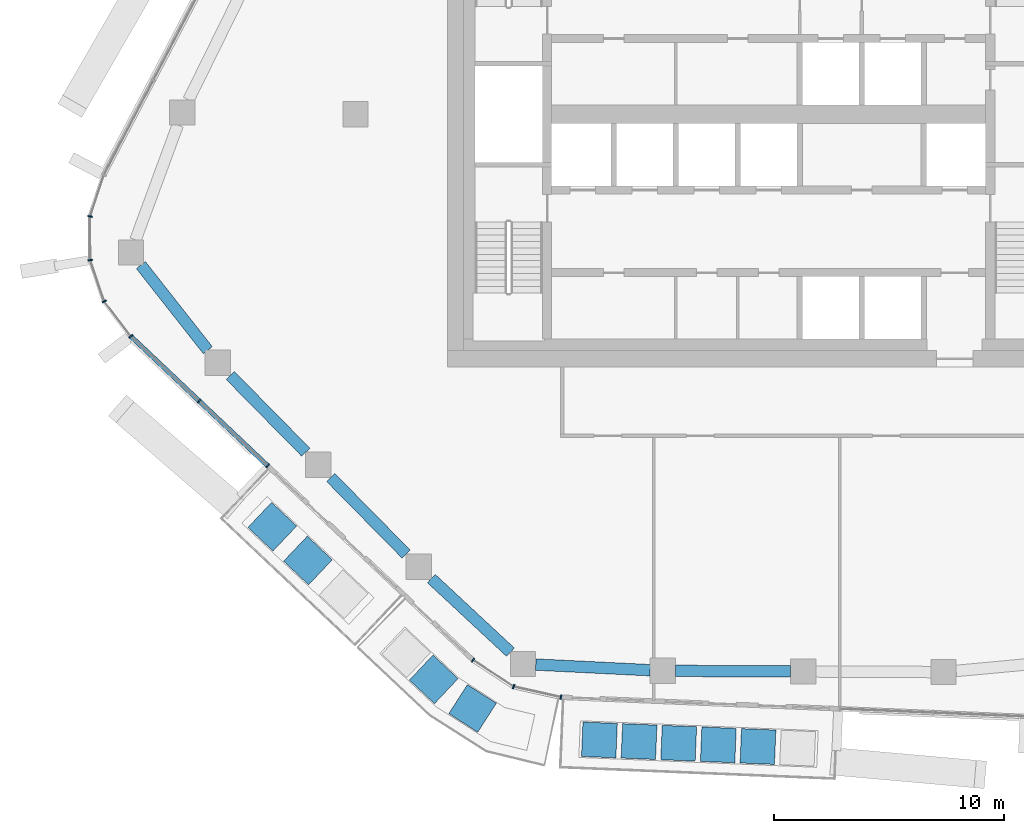
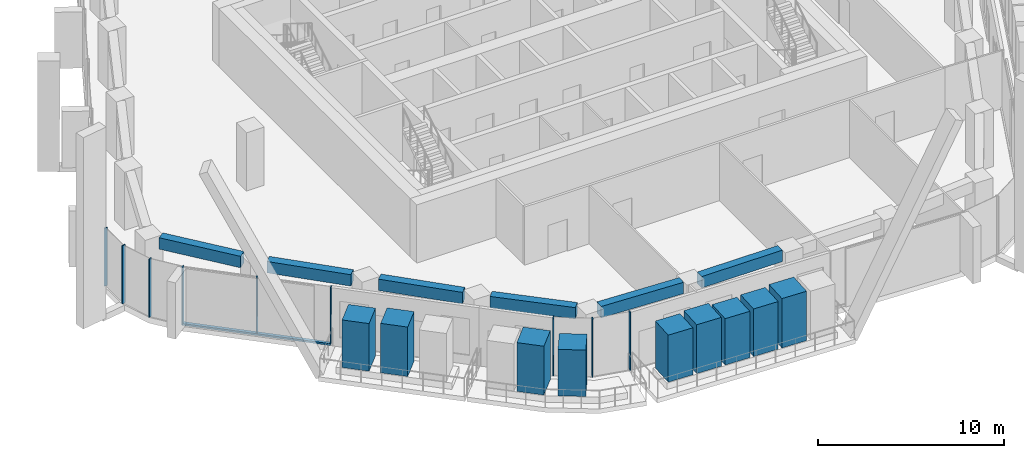
# One storey, part 2 of 20: 19 members, 6 beams, 3 elements without a shape of their own.
"""IFC4 building model written with IfcOpenShell, lengths in metres."""

from ifc_helpers import new_model, si_unit, direction, frame, origin, origin_2d, place, context, subcontext, project, spatial, rectangle, extrude, material, layer, layer_set, material_profile, profile_set, type_object, element, aggregate, save


model = new_model("IFC4")

# Units and contexts
model_context = context("Model", 3, precision=1e-05, world=origin(), true_north=direction((0.0, 1.0)))
body_context = subcontext(model_context, "Body", "Model", "MODEL_VIEW")
ifc_project = project(units=[si_unit("LENGTHUNIT", "METRE"), si_unit("AREAUNIT", "SQUARE_METRE"), si_unit("VOLUMEUNIT", "CUBIC_METRE"), si_unit("PLANEANGLEUNIT", "RADIAN"), si_unit("MASSUNIT", "GRAM", prefix="KILO")], contexts=[model_context])

# Site, building, storey
site_placement = place(None, origin())
site = spatial("IfcSite", under=ifc_project, at=site_placement, CompositionType="ELEMENT")
building_placement = place(site_placement, origin())
building = spatial("IfcBuilding", under=site, at=building_placement, Name="Dongbaek Canopy Tower", CompositionType="ELEMENT")
storey_placement = place(building_placement, frame((0.0, 0.0, 241.199951171875)))
storey = spatial("IfcBuildingStorey", under=building, at=storey_placement, Name="L50", CompositionType="ELEMENT", Elevation=241.199951171875)

# Curtain wall, members
ifc_material_1 = material(Name="Aluminium 6063-T6 pale anodised", Category="aluminium")
ifc_layer = layer(ifc_material_1, 0.199951171875)
ifc_layer_set = layer_set([ifc_layer], Name="CW-1 unitised tower curtain wall")
curtain_wall_type = type_object("IfcCurtainWallType", Name="CW-1 unitised tower curtain wall", PredefinedType="NOTDEFINED", material=ifc_layer_set)
curtain_wall_1_placement = place(storey_placement, origin())
curtain_wall_1 = element("IfcCurtainWall", 1, at=curtain_wall_1_placement, inside=storey, type_object=curtain_wall_type, Name="CW-1 curtain wall K3.1", PredefinedType="NOTDEFINED")
ifc_material_2 = material(Name="Aluminium 6063-T6 pale anodised", Category="aluminium")
ifc_material_profile_1 = material_profile(ifc_material_2, rectangle(XDim=0.199951171875, YDim=0.06005859375, at=origin_2d()), Name="CW-1 mullion 60 x 200")
ifc_profile_set_1 = profile_set([ifc_material_profile_1], Name="Aluminium 6063-T6 pale anodised")
member_type_1 = type_object("IfcMemberType", Name="CW-1 mullion 60 x 200", PredefinedType="MULLION", material=ifc_profile_set_1)
member_1_placement = place(storey_placement, frame((-29.56005859375, -4.453125, 0.0), z_axis=(0.0, 0.0, 1.0), x_axis=(-0.987492655796, 0.157665008006, 0.0)))
member_1 = element("IfcMember", 2, at=member_1_placement, type_object=member_type_1, Name="CW-1 mullion K3.1.2", PredefinedType="MULLION", context=body_context, shape_type="SweptSolid", body=[
    extrude(rectangle(XDim=0.199951171875, YDim=0.06005859375, at=origin_2d()), origin(), (0.0, 0.0, 1.0), 3.820068359375),
])
member_2_placement = place(storey_placement, frame((-29.55322265625, -6.354736328125, 0.0), z_axis=(0.0, 0.0, 1.0), x_axis=(-0.986343087867, -0.164703712824, 0.0)))
member_2 = element("IfcMember", 3, at=member_2_placement, type_object=member_type_1, Name="CW-1 mullion K3.1.3", PredefinedType="MULLION", context=body_context, shape_type="SweptSolid", body=[
    extrude(rectangle(XDim=0.199951171875, YDim=0.06005859375, at=origin_2d()), origin(), (0.0, 0.0, 1.0), 3.820068359375),
])
member_3_placement = place(storey_placement, frame((-28.94189453125, -8.1552734375, 0.0), z_axis=(0.0, 0.0, 1.0), x_axis=(-0.88268987237, -0.469955943908, 0.0)))
member_3 = element("IfcMember", 4, at=member_3_placement, type_object=member_type_1, Name="CW-1 mullion K3.1.4", PredefinedType="MULLION", context=body_context, shape_type="SweptSolid", body=[
    extrude(rectangle(XDim=0.199951171875, YDim=0.06005859375, at=origin_2d()), origin(), (0.0, 0.0, 1.0), 3.820068359375),
])
member_4_placement = place(storey_placement, frame((-27.784423828125, -9.67431640625, 0.0), z_axis=(0.0, 0.0, 1.0), x_axis=(-0.795397919328, -0.606087576122, 0.0)))
member_4 = element("IfcMember", 5, at=member_4_placement, type_object=member_type_1, Name="CW-1 mullion K3.1.5", PredefinedType="MULLION", context=body_context, shape_type="SweptSolid", body=[
    extrude(rectangle(XDim=0.199951171875, YDim=0.06005859375, at=origin_2d()), origin(), (0.0, 0.0, 1.0), 3.820068359375),
])
aggregate(curtain_wall_1, [member_1, member_2, member_3, member_4])

curtain_wall_2_placement = place(storey_placement, origin())
curtain_wall_2 = element("IfcCurtainWall", 6, at=curtain_wall_2_placement, inside=storey, type_object=curtain_wall_type, Name="CW-1 curtain wall F3.1", PredefinedType="NOTDEFINED")
member_5_placement = place(storey_placement, frame((-24.806640625, -12.491943359375, 0.1201171875), z_axis=(0.0, 0.0, 1.0), x_axis=(-0.687304953463, -0.72636898402, 0.0)))
member_5 = element("IfcMember", 7, at=member_5_placement, type_object=member_type_1, Name="CW-1 mullion F3.1.2", PredefinedType="MULLION", context=body_context, shape_type="SweptSolid", body=[
    extrude(rectangle(XDim=0.199951171875, YDim=0.06005859375, at=origin_2d()), origin(), (0.0, 0.0, 1.0), 3.699951171875),
])
member_6_placement = place(storey_placement, frame((-21.822998046875, -15.315185546875, 0.1201171875), z_axis=(0.0, 0.0, 1.0), x_axis=(-0.687304953463, -0.72636898402, 0.0)))
member_6 = element("IfcMember", 8, at=member_6_placement, type_object=member_type_1, Name="CW-1 mullion F3.1.3", PredefinedType="MULLION", context=body_context, shape_type="SweptSolid", body=[
    extrude(rectangle(XDim=0.199951171875, YDim=0.06005859375, at=origin_2d()), origin(), (0.0, 0.0, 1.0), 3.699951171875),
])

curtain_wall_3_placement = place(storey_placement, origin())
curtain_wall_3 = element("IfcCurtainWall", 9, at=curtain_wall_3_placement, inside=storey, type_object=curtain_wall_type, Name="CW-1 curtain wall K4.1", PredefinedType="NOTDEFINED")
member_7_placement = place(storey_placement, frame((-12.87841796875, -23.77880859375, 0.0), z_axis=(0.0, 0.0, 1.0), x_axis=(-0.546938133338, -0.837173027696, 0.0)))
member_7 = element("IfcMember", 10, at=member_7_placement, type_object=member_type_1, Name="CW-1 mullion K4.1.1", PredefinedType="MULLION", context=body_context, shape_type="SweptSolid", body=[
    extrude(rectangle(XDim=0.199951171875, YDim=0.06005859375, at=origin_2d()), origin(), (0.0, 0.0, 1.0), 3.820068359375),
])
member_8_placement = place(storey_placement, frame((-11.111572265625, -24.93310546875, 0.0), z_axis=(0.0, 0.0, 1.0), x_axis=(-0.389080023715, -0.92120395958, 0.0)))
member_8 = element("IfcMember", 11, at=member_8_placement, type_object=member_type_1, Name="CW-1 mullion K4.1.2", PredefinedType="MULLION", context=body_context, shape_type="SweptSolid", body=[
    extrude(rectangle(XDim=0.199951171875, YDim=0.06005859375, at=origin_2d()), origin(), (0.0, 0.0, 1.0), 3.820068359375),
])
member_9_placement = place(storey_placement, frame((-9.052490234375, -25.394775390625, 0.0), z_axis=(0.0, 0.0, 1.0), x_axis=(-0.218778986972, -0.975774438515, 0.0)))
member_9 = element("IfcMember", 12, at=member_9_placement, type_object=member_type_1, Name="CW-1 mullion K4.1.3", PredefinedType="MULLION", context=body_context, shape_type="SweptSolid", body=[
    extrude(rectangle(XDim=0.199951171875, YDim=0.06005859375, at=origin_2d()), origin(), (0.0, 0.0, 1.0), 3.820068359375),
])
aggregate(curtain_wall_3, [member_7, member_8, member_9])

# Member
ifc_material_3 = material(Name="Aluminium 6063-T6 pale anodised", Category="aluminium")
ifc_material_profile_2 = material_profile(ifc_material_3, rectangle(XDim=0.199951171875, YDim=0.1201171875, at=origin_2d()), Name="CW-1 transom 120 x 200")
ifc_profile_set_2 = profile_set([ifc_material_profile_2], Name="Aluminium 6063-T6 pale anodised")
member_type_2 = type_object("IfcMemberType", Name="CW-1 transom 120 x 200", PredefinedType="USERDEFINED", material=ifc_profile_set_2)
member_10_placement = place(storey_placement, frame((-27.784423828125, -9.67431640625, 0.06005859375), z_axis=(0.726366059873, -0.687308043794, 0.0), x_axis=(0.687308043794, 0.726366059873, 0.0)))
member_10 = element("IfcMember", 13, at=member_10_placement, type_object=member_type_2, Name="CW-1 transom F3.1.1", ObjectType="TRANSOM", PredefinedType="USERDEFINED", context=body_context, shape_type="SweptSolid", body=[
    extrude(rectangle(XDim=0.199951171875, YDim=0.1201171875, at=origin_2d()), origin(), (0.0, 0.0, 1.0), 8.207275390625),
])

aggregate(curtain_wall_2, [member_5, member_6, member_10])

# Beams
ifc_material_4 = material(Name="Concrete C70", Category="concrete")
ifc_material_profile_3 = material_profile(ifc_material_4, rectangle(XDim=0.5, YDim=0.75, at=origin_2d()), Name="RC EDGE BEAM 500x750 C70")
ifc_profile_set_3 = profile_set([ifc_material_profile_3], Name="Concrete C70")
beam_type = type_object("IfcBeamType", Name="RC EDGE BEAM 500x750 C70", PredefinedType="BEAM", material=ifc_profile_set_3)
beam_1_placement = place(storey_placement, frame((0.951904296875, -24.269775390625, 3.445068359375), z_axis=(-0.999990816155, 0.0042857445, 0.0), x_axis=(-0.0042857445, -0.999990816155, 0.0)))
element("IfcBeam", 14, at=beam_1_placement, inside=storey, type_object=beam_type, Name="EDGEBEAM:L50:02", PredefinedType="BEAM", context=body_context, shape_type="SweptSolid", body=[
    extrude(rectangle(XDim=0.5, YDim=0.75, at=origin_2d()), origin(), (0.0, 0.0, 1.0), 5.012939453125),
])
beam_2_placement = place(storey_placement, frame((-5.160888671875, -24.218994140625, 3.445068359375), z_axis=(-0.998786614333, 0.049247325106, 0.0), x_axis=(-0.049247325106, -0.998786614333, 0.0)))
element("IfcBeam", 15, at=beam_2_placement, inside=storey, type_object=beam_type, Name="EDGEBEAM:L50:03", PredefinedType="BEAM", context=body_context, shape_type="SweptSolid", body=[
    extrude(rectangle(XDim=0.5, YDim=0.75, at=origin_2d()), origin(), (0.0, 0.0, 1.0), 4.9921875),
])
beam_3_placement = place(storey_placement, frame((-11.2470703125, -23.434326171875, 3.445068359375), z_axis=(-0.732241423494, 0.681045151014, 0.0), x_axis=(-0.681045151014, -0.732241423494, 0.0)))
element("IfcBeam", 16, at=beam_3_placement, inside=storey, type_object=beam_type, Name="EDGEBEAM:L50:04", PredefinedType="BEAM", context=body_context, shape_type="SweptSolid", body=[
    extrude(rectangle(XDim=0.5, YDim=0.75, at=origin_2d()), origin(), (0.0, 0.0, 1.0), 4.71142578125),
])
beam_4_placement = place(storey_placement, frame((-15.788818359375, -19.1640625, 3.445068359375), z_axis=(-0.701699383964, 0.712473139525, 0.0), x_axis=(-0.712473139525, -0.701699383964, 0.0)))
element("IfcBeam", 17, at=beam_4_placement, inside=storey, type_object=beam_type, Name="EDGEBEAM:L50:05", PredefinedType="BEAM", context=body_context, shape_type="SweptSolid", body=[
    extrude(rectangle(XDim=0.5, YDim=0.75, at=origin_2d()), origin(), (0.0, 0.0, 1.0), 4.690673828125),
])
beam_5_placement = place(storey_placement, frame((-20.16357421875, -14.721923828125, 3.445068359375), z_axis=(-0.701621732034, 0.712549608896, 0.0), x_axis=(-0.712549608896, -0.701621732034, 0.0)))
element("IfcBeam", 18, at=beam_5_placement, inside=storey, type_object=beam_type, Name="EDGEBEAM:L50:06", PredefinedType="BEAM", context=body_context, shape_type="SweptSolid", body=[
    extrude(rectangle(XDim=0.5, YDim=0.75, at=origin_2d()), origin(), (0.0, 0.0, 1.0), 4.691650390625),
])
beam_6_placement = place(storey_placement, frame((-24.429931640625, -10.279052734375, 3.445068359375), z_axis=(-0.618474671525, 0.785804734449, 0.0), x_axis=(-0.785804734449, -0.618474671525, 0.0)))
element("IfcBeam", 19, at=beam_6_placement, inside=storey, type_object=beam_type, Name="EDGEBEAM:L50:07", PredefinedType="BEAM", context=body_context, shape_type="SweptSolid", body=[
    extrude(rectangle(XDim=0.5, YDim=0.75, at=origin_2d()), origin(), (0.0, 0.0, 1.0), 4.719970703125),
])

# Members
ifc_material_5 = material(Name="Concrete C40/50 planter mass with planting", Category="concrete")
ifc_material_profile_4 = material_profile(ifc_material_5, rectangle(XDim=1.5, YDim=1.5, at=origin_2d()), Name="Terrace PLANTER shrub mass 1500 x 1500")
ifc_profile_set_4 = profile_set([ifc_material_profile_4], Name="Concrete C40/50 planter mass with planting")
member_type_3 = type_object("IfcMemberType", Name="Terrace PLANTER shrub mass 1500 x 1500", PredefinedType="USERDEFINED", material=ifc_profile_set_4)
member_11_placement = place(storey_placement, frame((-21.622802734375, -17.968994140625, 0.420166015625), z_axis=(0.0, 0.0, 1.0), x_axis=(-0.687304953463, -0.72636898402, 0.0)))
element("IfcMember", 20, at=member_11_placement, inside=storey, type_object=member_type_3, Name="Planter shrubs L50 3.1", ObjectType="PLANTER", PredefinedType="USERDEFINED", context=body_context, shape_type="SweptSolid", body=[
    extrude(rectangle(XDim=1.5, YDim=1.5, at=origin_2d()), origin(), (0.0, 0.0, 1.0), 3.1298828125),
])
member_12_placement = place(storey_placement, frame((-20.069580078125, -19.438720703125, 0.420166015625), z_axis=(0.0, 0.0, 1.0), x_axis=(-0.687304953463, -0.72636898402, 0.0)))
element("IfcMember", 21, at=member_12_placement, inside=storey, type_object=member_type_3, Name="Planter shrubs L50 3.2", ObjectType="PLANTER", PredefinedType="USERDEFINED", context=body_context, shape_type="SweptSolid", body=[
    extrude(rectangle(XDim=1.5, YDim=1.5, at=origin_2d()), origin(), (0.0, 0.0, 1.0), 3.25),
])
member_13_placement = place(storey_placement, frame((-14.589599609375, -24.616943359375, 0.420166015625), z_axis=(0.0, 0.0, 1.0), x_axis=(-0.685817459047, -0.727773600007, 0.0)))
element("IfcMember", 22, at=member_13_placement, inside=storey, type_object=member_type_3, Name="Planter shrubs L50 8.2", ObjectType="PLANTER", PredefinedType="USERDEFINED", context=body_context, shape_type="SweptSolid", body=[
    extrude(rectangle(XDim=1.5, YDim=1.5, at=origin_2d()), origin(), (0.0, 0.0, 1.0), 3.2099609375),
])
member_14_placement = place(storey_placement, frame((-12.898193359375, -25.8837890625, 0.420166015625), z_axis=(0.0, 0.0, 1.0), x_axis=(-0.540373570245, -0.841425222216, 0.0)))
element("IfcMember", 23, at=member_14_placement, inside=storey, type_object=member_type_3, Name="Planter shrubs L50 8.3", ObjectType="PLANTER", PredefinedType="USERDEFINED", context=body_context, shape_type="SweptSolid", body=[
    extrude(rectangle(XDim=1.5, YDim=1.5, at=origin_2d()), origin(), (0.0, 0.0, 1.0), 3.0498046875),
])
member_15_placement = place(storey_placement, frame((-7.373046875, -27.256103515625, 0.420166015625), z_axis=(0.0, 0.0, 1.0), x_axis=(-0.041481315027, -0.999139279832, 0.0)))
element("IfcMember", 24, at=member_15_placement, inside=storey, type_object=member_type_3, Name="Planter shrubs L50 4.1", ObjectType="PLANTER", PredefinedType="USERDEFINED", context=body_context, shape_type="SweptSolid", body=[
    extrude(rectangle(XDim=1.5, YDim=1.5, at=origin_2d()), origin(), (0.0, 0.0, 1.0), 3.08984375),
])
member_16_placement = place(storey_placement, frame((-5.646240234375, -27.32763671875, 0.420166015625), z_axis=(0.0, 0.0, 1.0), x_axis=(-0.041481315027, -0.999139279832, 0.0)))
element("IfcMember", 25, at=member_16_placement, inside=storey, type_object=member_type_3, Name="Planter shrubs L50 4.2", ObjectType="PLANTER", PredefinedType="USERDEFINED", context=body_context, shape_type="SweptSolid", body=[
    extrude(rectangle(XDim=1.5, YDim=1.5, at=origin_2d()), origin(), (0.0, 0.0, 1.0), 3.2099609375),
])
member_17_placement = place(storey_placement, frame((-3.91943359375, -27.3994140625, 0.420166015625), z_axis=(0.0, 0.0, 1.0), x_axis=(-0.041481315027, -0.999139279832, 0.0)))
element("IfcMember", 26, at=member_17_placement, inside=storey, type_object=member_type_3, Name="Planter shrubs L50 4.3", ObjectType="PLANTER", PredefinedType="USERDEFINED", context=body_context, shape_type="SweptSolid", body=[
    extrude(rectangle(XDim=1.5, YDim=1.5, at=origin_2d()), origin(), (0.0, 0.0, 1.0), 3.0498046875),
])
member_18_placement = place(storey_placement, frame((-2.192626953125, -27.47119140625, 0.420166015625), z_axis=(0.0, 0.0, 1.0), x_axis=(-0.041481315027, -0.999139279832, 0.0)))
element("IfcMember", 27, at=member_18_placement, inside=storey, type_object=member_type_3, Name="Planter shrubs L50 4.4", ObjectType="PLANTER", PredefinedType="USERDEFINED", context=body_context, shape_type="SweptSolid", body=[
    extrude(rectangle(XDim=1.5, YDim=1.5, at=origin_2d()), origin(), (0.0, 0.0, 1.0), 3.1298828125),
])
member_19_placement = place(storey_placement, frame((-0.4658203125, -27.542724609375, 0.420166015625), z_axis=(0.0, 0.0, 1.0), x_axis=(-0.041481315027, -0.999139279832, 0.0)))
element("IfcMember", 28, at=member_19_placement, inside=storey, type_object=member_type_3, Name="Planter shrubs L50 4.5", ObjectType="PLANTER", PredefinedType="USERDEFINED", context=body_context, shape_type="SweptSolid", body=[
    extrude(rectangle(XDim=1.5, YDim=1.5, at=origin_2d()), origin(), (0.0, 0.0, 1.0), 3.25),
])

save(model, "model.ifc")
